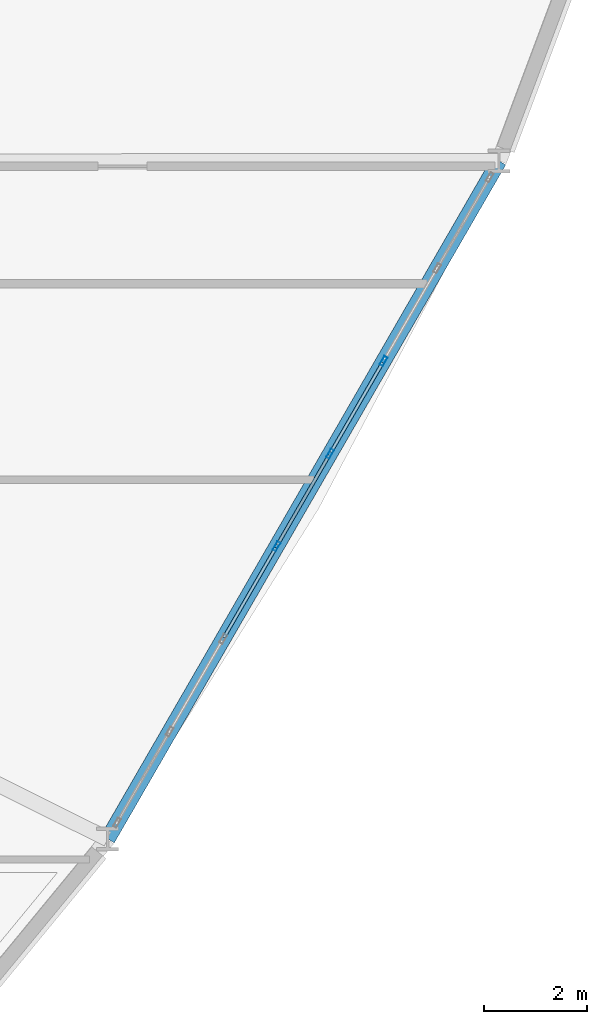
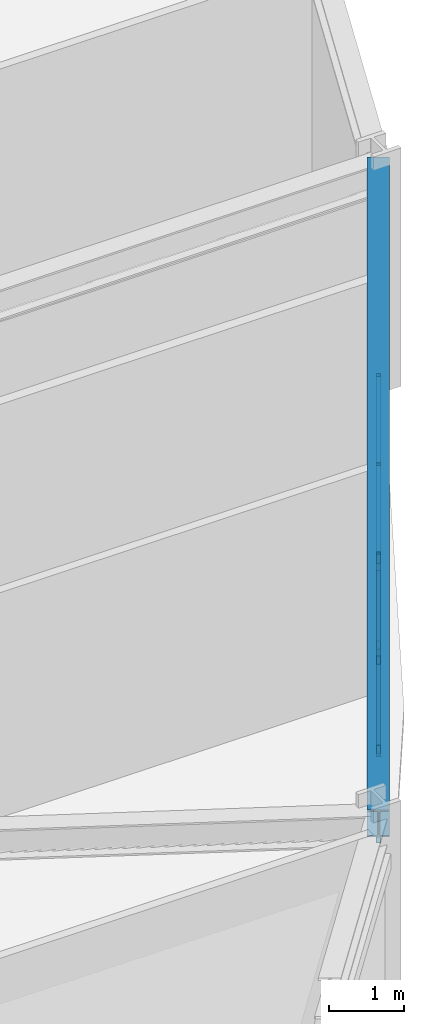
# One storey, part 7 of 20: 10 members, 1 beam, 1 element without a shape of its own.
"""IFC4 building model written with IfcOpenShell, lengths in metres."""

from ifc_helpers import new_model, si_unit, derived_unit, direction, frame, origin, origin_2d, place, context, subcontext, project, spatial, hollow_rectangle, i_section, extrude, source, transform, mapped, material, layer, layer_set, material_profile, profile_set, type_object, element, aggregate, save


model = new_model("IFC4")

# Units and contexts
model_context = context("Model", 3, precision=1e-05, world=origin(), true_north=direction((0.0, 1.0)))
body_context = subcontext(model_context, "Body", "Model", "MODEL_VIEW")
ifc_project = project(units=[si_unit("LENGTHUNIT", "METRE"), si_unit("AREAUNIT", "SQUARE_METRE"), si_unit("VOLUMEUNIT", "CUBIC_METRE"), si_unit("PLANEANGLEUNIT", "RADIAN"), si_unit("MASSUNIT", "GRAM", prefix="KILO"), derived_unit("THERMALTRANSMITTANCEUNIT", [(si_unit("POWERUNIT", "WATT"), 1), (si_unit("LENGTHUNIT", "METRE"), -2), (si_unit("THERMODYNAMICTEMPERATUREUNIT", "KELVIN"), -1)])], contexts=[model_context])

# Site, building, storey
site_placement = place(None, origin())
site = spatial("IfcSite", under=ifc_project, at=site_placement, CompositionType="ELEMENT")
building_placement = place(site_placement, origin())
building = spatial("IfcBuilding", under=site, at=building_placement, Name="Korsvarv Bourse and Concert Hall", CompositionType="ELEMENT")
storey_placement = place(building_placement, frame((0.0, 0.0, 67.800048828125)))
storey = spatial("IfcBuildingStorey", under=building, at=storey_placement, Name="L16", CompositionType="ELEMENT", Elevation=67.800048828125)

# Beam
ifc_material_1 = material(Name="Steel S355", Category="steel")
ifc_material_profile_1 = material_profile(ifc_material_1, i_section(OverallWidth=0.300048828125, OverallDepth=0.449951171875, WebThickness=0.013916015625, FlangeThickness=0.02587890625, FilletRadius=0.02099609375, at=origin_2d()), Name="HEB 450")
ifc_profile_set_1 = profile_set([ifc_material_profile_1], Name="Steel S355")
beam_type = type_object("IfcBeamType", Name="BM-HEB450", PredefinedType="SPANDREL", material=ifc_profile_set_1)
shared_shape_1 = source(origin(), body_context, "Body", "SweptSolid", [
    extrude(i_section(OverallWidth=0.300048828125, OverallDepth=0.449951171875, WebThickness=0.013916015625, FlangeThickness=0.02587890625, FilletRadius=0.02099609375, at=origin_2d()), origin(), (0.0, 0.0, 1.0), 15.25341796875),
])
beam_placement = place(storey_placement, frame((54.033447265625, 19.206787109375, 3.454833984375), z_axis=(0.500003709148, 0.866023262296, 0.0), x_axis=(-0.866023262296, 0.500003709148, 0.0)))
element("IfcBeam", 1, at=beam_placement, inside=storey, type_object=beam_type, Name="L16 beam B-08", PredefinedType="SPANDREL", context=body_context, shape_type="MappedRepresentation", body=[
    mapped(shared_shape_1, transform((0.0, 0.0, 0.0), scale=1.0)),
])

# Curtain wall, members
ifc_material_2 = material(Name="Anodised aluminium and triple low-E glazing", Category="glass")
ifc_layer = layer(ifc_material_2, 0.219970703125)
ifc_layer_set = layer_set([ifc_layer], Name="Anodised aluminium and triple low-E glazing")
curtain_wall_type = type_object("IfcCurtainWallType", Name="CW-SYS-1", PredefinedType="NOTDEFINED", material=ifc_layer_set)
curtain_wall_placement = place(storey_placement, origin())
curtain_wall = element("IfcCurtainWall", 2, at=curtain_wall_placement, inside=storey, type_object=curtain_wall_type, Name="L16 CW1 curtain wall CW-L16-F11", PredefinedType="NOTDEFINED")
ifc_material_3 = material(Name="Extruded aluminium EN AW-6063 T66", Category="aluminium")
ifc_material_profile_2 = material_profile(ifc_material_3, hollow_rectangle(XDim=0.070068359375, YDim=0.18994140625, WallThickness=0.0048828125, at=origin_2d()), Name="ALU-M 70x190")
ifc_profile_set_2 = profile_set([ifc_material_profile_2], Name="Extruded aluminium EN AW-6063 T66")
member_type_1 = type_object("IfcMemberType", Name="CWM-190", PredefinedType="MULLION", material=ifc_profile_set_2)
shared_shape_2 = source(origin(), body_context, "Body", "SweptSolid", [
    extrude(hollow_rectangle(XDim=0.070068359375, YDim=0.18994140625, WallThickness=0.0048828125, at=origin_2d()), origin(), (0.0, 0.0, 1.0), 3.22998046875),
])
member_1_placement = place(storey_placement, frame((57.32568359375, 24.908935546875, 0.0), z_axis=(0.0, 0.0, 1.0), x_axis=(-0.86602191759, 0.500006038217, 0.0)))
member_1 = element("IfcMember", 3, at=member_1_placement, type_object=member_type_1, Name="CW1 mullion 4", PredefinedType="MULLION", context=body_context, shape_type="MappedRepresentation", body=[
    mapped(shared_shape_2, transform((0.0, 0.0, 0.0), scale=1.0)),
])
member_2_placement = place(storey_placement, frame((58.367919921875, 26.714111328125, 0.0), z_axis=(0.0, 0.0, 1.0), x_axis=(-0.86602191759, 0.500006038217, 0.0)))
member_2 = element("IfcMember", 4, at=member_2_placement, type_object=member_type_1, Name="CW1 mullion 5", PredefinedType="MULLION", context=body_context, shape_type="MappedRepresentation", body=[
    mapped(shared_shape_2, transform((0.0, 0.0, 0.0), scale=1.0)),
])
member_3_placement = place(storey_placement, frame((59.41015625, 28.519287109375, 0.0), z_axis=(0.0, 0.0, 1.0), x_axis=(-0.86602191759, 0.500006038217, 0.0)))
member_3 = element("IfcMember", 5, at=member_3_placement, type_object=member_type_1, Name="CW1 mullion 6", PredefinedType="MULLION", context=body_context, shape_type="MappedRepresentation", body=[
    mapped(shared_shape_2, transform((0.0, 0.0, 0.0), scale=1.0)),
])
ifc_material_profile_3 = material_profile(ifc_material_3, hollow_rectangle(XDim=0.06494140625, YDim=0.139892578125, WallThickness=0.00390625, at=origin_2d()), Name="ALU-T 65x140")
ifc_profile_set_3 = profile_set([ifc_material_profile_3], Name="Extruded aluminium EN AW-6063 T66")
member_type_2 = type_object("IfcMemberType", Name="CWT-140", PredefinedType="USERDEFINED", material=ifc_profile_set_3)
shared_shape_3 = source(origin(), body_context, "Body", "SweptSolid", [
    extrude(hollow_rectangle(XDim=0.06494140625, YDim=0.139892578125, WallThickness=0.00390625, at=origin_2d()), origin(), (0.0, 0.0, 1.0), 2.014404296875),
])
member_4_placement = place(storey_placement, frame((58.385498046875, 26.744384765625, 0.032470703125), z_axis=(0.499932278224, 0.86606449944, 0.0), x_axis=(-0.86606449944, 0.499932278224, 0.0)))
member_4 = element("IfcMember", 6, at=member_4_placement, type_object=member_type_2, Name="CW1 transom 5.1", ObjectType="TRANSOM", PredefinedType="USERDEFINED", context=body_context, shape_type="MappedRepresentation", body=[
    mapped(shared_shape_3, transform((0.0, 0.0, 0.0), scale=1.0)),
])
member_5_placement = place(storey_placement, frame((58.385498046875, 26.744384765625, 3.197509765625), z_axis=(0.499932278224, 0.86606449944, 0.0), x_axis=(-0.86606449944, 0.499932278224, 0.0)))
member_5 = element("IfcMember", 7, at=member_5_placement, type_object=member_type_2, Name="CW1 transom 5.2", ObjectType="TRANSOM", PredefinedType="USERDEFINED", context=body_context, shape_type="MappedRepresentation", body=[
    mapped(shared_shape_3, transform((0.0, 0.0, 0.0), scale=1.0)),
])
shared_shape_4 = source(origin(), body_context, "Body", "SweptSolid", [
    extrude(hollow_rectangle(XDim=0.06494140625, YDim=0.139892578125, WallThickness=0.00390625, at=origin_2d()), origin(), (0.0, 0.0, 1.0), 2.01416015625),
])
member_6_placement = place(storey_placement, frame((56.301025390625, 23.13427734375, 0.032470703125), z_axis=(0.499984757355, 0.866034203951, 0.0), x_axis=(-0.866034203951, 0.499984757355, 0.0)))
member_6 = element("IfcMember", 8, at=member_6_placement, type_object=member_type_2, Name="CW1 transom 3.1", ObjectType="TRANSOM", PredefinedType="USERDEFINED", context=body_context, shape_type="MappedRepresentation", body=[
    mapped(shared_shape_4, transform((0.0, 0.0, 0.0), scale=1.0)),
])
member_7_placement = place(storey_placement, frame((56.301025390625, 23.13427734375, 3.197509765625), z_axis=(0.499984757355, 0.866034203951, 0.0), x_axis=(-0.866034203951, 0.499984757355, 0.0)))
member_7 = element("IfcMember", 9, at=member_7_placement, type_object=member_type_2, Name="CW1 transom 3.2", ObjectType="TRANSOM", PredefinedType="USERDEFINED", context=body_context, shape_type="MappedRepresentation", body=[
    mapped(shared_shape_4, transform((0.0, 0.0, 0.0), scale=1.0)),
])
member_8_placement = place(storey_placement, frame((57.34326171875, 24.939453125, 0.032470703125), z_axis=(0.499984757355, 0.866034203951, 0.0), x_axis=(-0.866034203951, 0.499984757355, 0.0)))
member_8 = element("IfcMember", 10, at=member_8_placement, type_object=member_type_2, Name="CW1 transom 4.1", ObjectType="TRANSOM", PredefinedType="USERDEFINED", context=body_context, shape_type="MappedRepresentation", body=[
    mapped(shared_shape_4, transform((0.0, 0.0, 0.0), scale=1.0)),
])
member_9_placement = place(storey_placement, frame((57.34326171875, 24.939453125, 3.197509765625), z_axis=(0.499984757355, 0.866034203951, 0.0), x_axis=(-0.866034203951, 0.499984757355, 0.0)))
member_9 = element("IfcMember", 11, at=member_9_placement, type_object=member_type_2, Name="CW1 transom 4.2", ObjectType="TRANSOM", PredefinedType="USERDEFINED", context=body_context, shape_type="MappedRepresentation", body=[
    mapped(shared_shape_4, transform((0.0, 0.0, 0.0), scale=1.0)),
])
ifc_material_profile_4 = material_profile(ifc_material_3, hollow_rectangle(XDim=0.06494140625, YDim=0.1650390625, WallThickness=0.0048828125, at=origin_2d()), Name="ALU-M 65x165")
ifc_profile_set_4 = profile_set([ifc_material_profile_4], Name="Extruded aluminium EN AW-6063 T66")
member_type_3 = type_object("IfcMemberType", Name="CWM-165", PredefinedType="MULLION", material=ifc_profile_set_4)
shared_shape_5 = source(origin(), body_context, "Body", "SweptSolid", [
    extrude(hollow_rectangle(XDim=0.06494140625, YDim=0.1650390625, WallThickness=0.0048828125, at=origin_2d()), origin(), (0.0, 0.0, 1.0), 3.697021484375),
])
member_10_placement = place(storey_placement, frame((58.350341796875, 26.683837890625, 0.06494140625), z_axis=(-0.27240581983, -0.471839898833, 0.838547660656), x_axis=(0.866034203951, -0.499984757355, 0.0)))
member_10 = element("IfcMember", 12, at=member_10_placement, type_object=member_type_3, Name="CW1 diagonal mullion 4", PredefinedType="MULLION", context=body_context, shape_type="MappedRepresentation", body=[
    mapped(shared_shape_5, transform((0.0, 0.0, 0.0), scale=1.0)),
])
aggregate(curtain_wall, [member_1, member_2, member_3, member_6, member_7, member_8, member_9, member_10, member_4, member_5])

save(model, "model.ifc")
